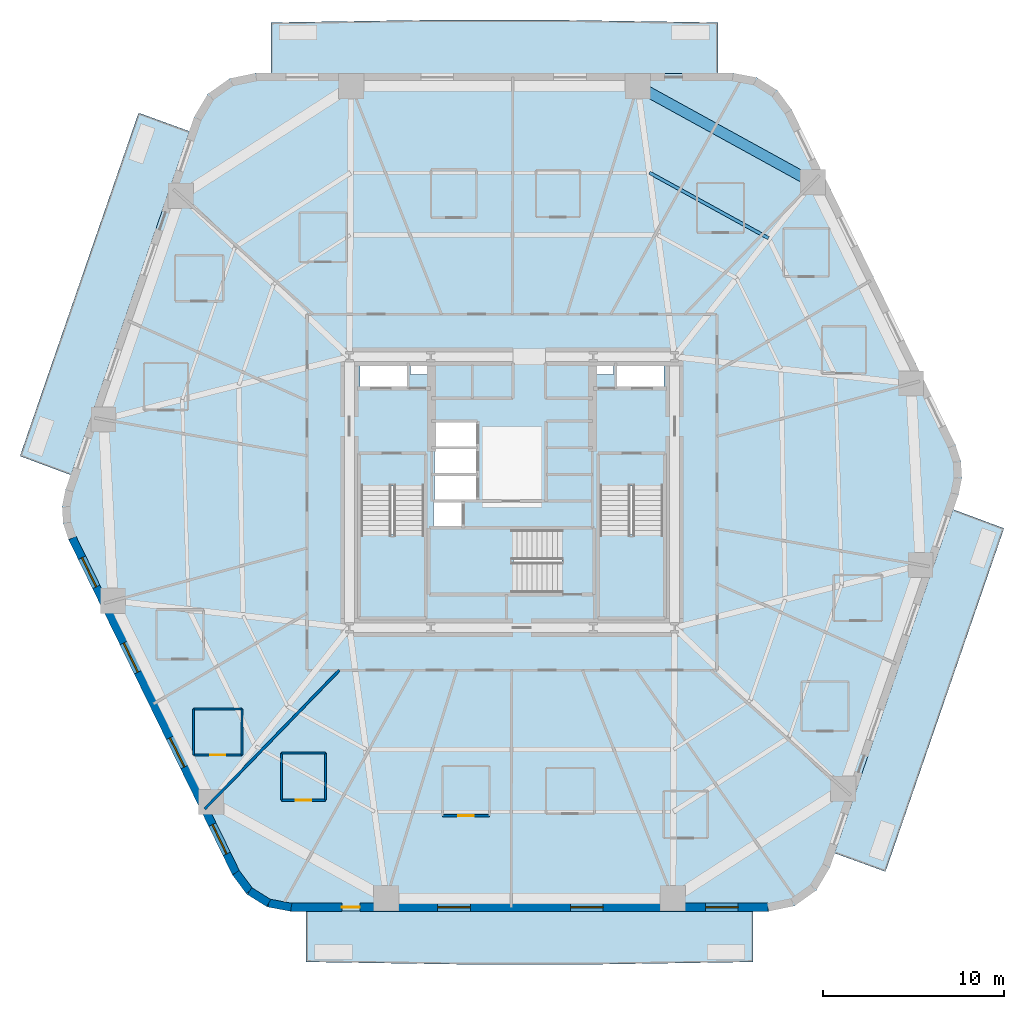
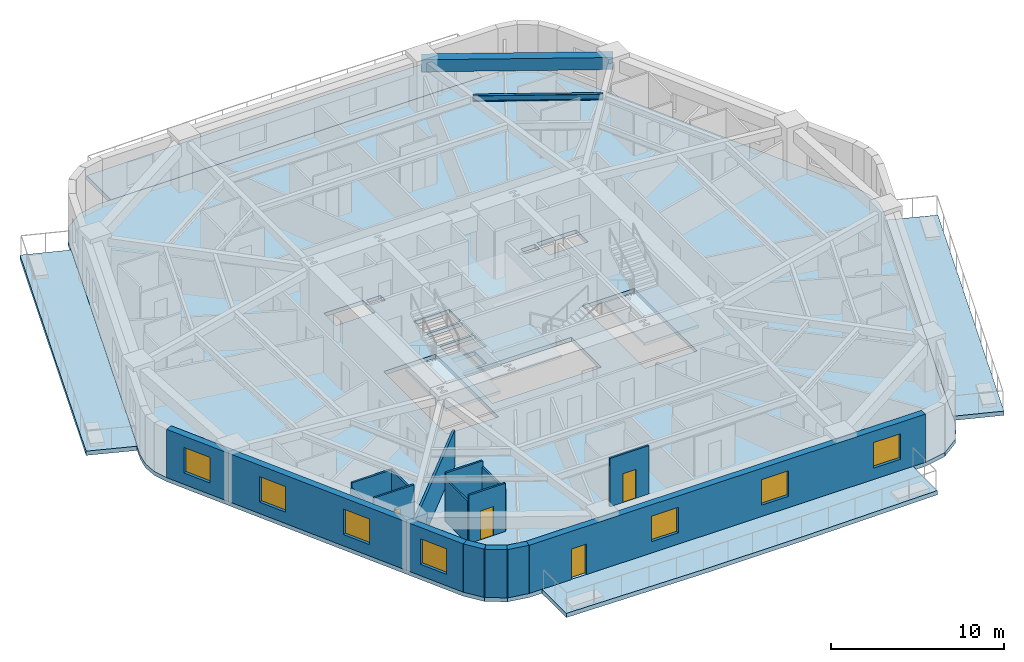
# One storey, part 2 of 11: 15 walls, 8 slabs, 7 windows, 4 doors, 2 beams, 11 openings, 3 elements without a shape of their own.
"""IFC4 building model written with IfcOpenShell, lengths in metres."""

from ifc_helpers import new_model, si_unit, direction, frame, frame_2d, origin, origin_2d, place, context, subcontext, project, spatial, polyline, rectangle, i_section, outline, extrude, material, layer, layer_set, material_profile, profile_set, type_object, element, fill, aggregate, save


model = new_model("IFC4")

# Units and contexts
model_context = context("Model", 3, precision=1e-05, world=origin(), true_north=direction((0.0, 1.0)))
body_context = subcontext(model_context, "Body", "Model", "MODEL_VIEW")
ifc_project = project(units=[si_unit("LENGTHUNIT", "METRE"), si_unit("AREAUNIT", "SQUARE_METRE"), si_unit("VOLUMEUNIT", "CUBIC_METRE"), si_unit("PLANEANGLEUNIT", "RADIAN"), si_unit("MASSUNIT", "GRAM", prefix="KILO")], contexts=[model_context])

# Site, building, storey
site_placement = place(None, origin())
site = spatial("IfcSite", under=ifc_project, at=site_placement, CompositionType="ELEMENT")
building_placement = place(site_placement, origin())
building = spatial("IfcBuilding", under=site, at=building_placement, Name="Kilnhurst Terrace Hotel", CompositionType="ELEMENT")
storey_placement = place(building_placement, frame((0.0, 0.0, 41.60009765625)))
storey = spatial("IfcBuildingStorey", under=building, at=storey_placement, Name="L08", CompositionType="ELEMENT", Elevation=41.60009765625)

# Beams
ifc_material_1 = material(Name="Concrete C50/60", Category="concrete")
ifc_material_profile_1 = material_profile(ifc_material_1, rectangle(XDim=0.60009765625, YDim=0.85009765625, at=origin_2d()), Name="RC600X850")
ifc_profile_set_1 = profile_set([ifc_material_profile_1], Name="Concrete C50/60")
beam_type_1 = type_object("IfcBeamType", Name="BM-SPN-600X850", PredefinedType="SPANDREL", material=ifc_profile_set_1)
beam_1_placement = place(storey_placement, frame((16.64306640625, 17.152099609375, 2.974853515625), z_axis=(-0.876235488803, 0.481883147829, 0.0), x_axis=(-0.481883147829, -0.876235488803, 0.0)))
element("IfcBeam", 1, at=beam_1_placement, inside=storey, type_object=beam_type_1, Name="L08 Perimeter Spandrel Beam 6", PredefinedType="SPANDREL", context=body_context, shape_type="SweptSolid", body=[
    extrude(rectangle(XDim=0.60009765625, YDim=0.85009765625, at=origin_2d()), origin(), (0.0, 0.0, 1.0), 11.056396484375),
])
ifc_material_2 = material(Name="Steel ASTM A992 Grade 50", Category="steel")
ifc_material_profile_2 = material_profile(ifc_material_2, i_section(OverallWidth=0.180908203125, OverallDepth=0.417236328125, WebThickness=0.010986328125, FlangeThickness=0.018310546875, at=origin_2d()), Name="W16X57")
ifc_profile_set_2 = profile_set([ifc_material_profile_2], Name="Steel ASTM A992 Grade 50")
beam_type_2 = type_object("IfcBeamType", Name="JST-STL-W16X57", PredefinedType="JOIST", material=ifc_profile_set_2)
beam_2_placement = place(storey_placement, frame((14.197265625, 14.0634765625, 3.19091796875), z_axis=(-0.876246073632, 0.481863900334, 0.0), x_axis=(-0.481863900334, -0.876246073632, 0.0)))
element("IfcBeam", 2, at=beam_2_placement, inside=storey, type_object=beam_type_2, Name="L08 Secondary Floor Steel Joist OUT.6", PredefinedType="JOIST", context=body_context, shape_type="SweptSolid", body=[
    extrude(i_section(OverallWidth=0.180908203125, OverallDepth=0.417236328125, WebThickness=0.010986328125, FlangeThickness=0.018310546875, at=origin_2d()), origin(), (0.0, 0.0, 1.0), 7.518310546875),
])

# Slabs
ifc_layer_1 = layer(ifc_material_1, 0.300048828125, Name="Concrete C50/60")
ifc_layer_set_1 = layer_set([ifc_layer_1], Name="Concrete C50/60")
slab_type_1 = type_object("IfcSlabType", Name="SLB-BAL-300", PredefinedType="FLOOR", material=ifc_layer_set_1)
slab_1_placement = place(storey_placement, frame((0.0, 0.0, -0.300048828125)))
element("IfcSlab", 3, at=slab_1_placement, inside=storey, type_object=slab_type_1, Name="L08 Cantilevered Planted Terrace Slab BAL-L1A", PredefinedType="FLOOR", context=body_context, shape_type="SweptSolid", body=[
    extrude(outline(polyline([(4.229248046875, -26.139892578125), (-2.279541015625, -26.139892578125), (-11.39208984375, -26.0), (-11.39208984375, -23.179931640625), (13.341552734375, -23.179931640625), (13.341552734375, -26.0), (4.229248046875, -26.139892578125)])), origin(), (0.0, 0.0, 1.0), 0.300048828125),
])
slab_2_placement = place(storey_placement, frame((0.0, 0.0, -0.300048828125)))
element("IfcSlab", 4, at=slab_2_placement, inside=storey, type_object=slab_type_1, Name="L08 Cantilevered Planted Terrace Slab BAL-L1B", PredefinedType="FLOOR", context=body_context, shape_type="SweptSolid", body=[
    extrude(outline(polyline([(20.670166015625, -21.0), (17.84912109375, -19.975341796875), (24.410888671875, -0.9501953125), (27.23388671875, -2.0), (23.98046875, -11.4296875), (20.670166015625, -21.0)])), origin(), (0.0, 0.0, 1.0), 0.300048828125),
])
slab_3_placement = place(storey_placement, frame((0.0, 0.0, -0.300048828125)))
element("IfcSlab", 5, at=slab_3_placement, inside=storey, type_object=slab_type_1, Name="L08 Cantilevered Planted Terrace Slab BAL-L2A", PredefinedType="FLOOR", context=body_context, shape_type="SweptSolid", body=[
    extrude(outline(polyline([(2.279541015625, 26.139892578125), (11.39208984375, 26.0), (11.39208984375, 23.179931640625), (-13.341552734375, 23.179931640625), (-13.341552734375, 26.0), (-4.229248046875, 26.139892578125), (2.279541015625, 26.139892578125)])), origin(), (0.0, 0.0, 1.0), 0.300048828125),
])
slab_4_placement = place(storey_placement, frame((0.0, 0.0, -0.300048828125)))
element("IfcSlab", 6, at=slab_4_placement, inside=storey, type_object=slab_type_1, Name="L08 Cantilevered Planted Terrace Slab BAL-L2B", PredefinedType="FLOOR", context=body_context, shape_type="SweptSolid", body=[
    extrude(outline(polyline([(-20.670166015625, 21.0), (-17.84912109375, 19.975341796875), (-24.410888671875, 0.9501953125), (-27.23388671875, 2.0), (-23.98046875, 11.4296875), (-20.670166015625, 21.0)])), origin(), (0.0, 0.0, 1.0), 0.300048828125),
])
ifc_layer_2 = layer(ifc_material_1, 0.280029296875, Name="Concrete C50/60")
ifc_layer_set_2 = layer_set([ifc_layer_2], Name="Concrete C50/60")
slab_type_2 = type_object("IfcSlabType", Name="SLB-FLR-280", PredefinedType="FLOOR", material=ifc_layer_set_2)
slab_5_placement = place(storey_placement, frame((0.0, 0.0, -0.280029296875)))
element("IfcSlab", 7, at=slab_5_placement, inside=storey, type_object=slab_type_2, Name="L08 Structural Floor Slab", PredefinedType="FLOOR", context=body_context, shape_type="SweptSolid", body=[
    extrude(outline(polyline([(-15.476806640625, -21.18017578125), (-14.680908203125, -22.248046875), (-13.551025390625, -22.95361328125), (-12.241943359375, -23.199951171875), (14.191650390625, -23.199951171875), (15.635986328125, -22.8974609375), (16.837890625, -22.040771484375), (17.5947265625, -20.773681640625), (24.712890625, -0.135986328125), (24.90087890625, 0.7861328125), (24.843505859375, 1.7255859375), (24.54443359375, 2.617919921875), (15.476806640625, 21.18017578125), (14.680908203125, 22.248046875), (13.551025390625, 22.95361328125), (12.241943359375, 23.199951171875), (-14.191650390625, 23.199951171875), (-15.635986328125, 22.8974609375), (-16.837890625, 22.040771484375), (-17.5947265625, 20.773681640625), (-24.712890625, 0.135986328125), (-24.90087890625, -0.7861328125), (-24.843505859375, -1.7255859375), (-24.54443359375, -2.617919921875), (-15.476806640625, -21.18017578125)]), holes=[polyline([(-8.35009765625, 0.35498046875), (-4.8798828125, 0.35498046875), (-4.8798828125, -6.89990234375), (-8.35009765625, -6.89990234375), (-8.35009765625, 0.35498046875)]), polyline([(-2.800048828125, -1.89990234375), (-4.35009765625, -1.89990234375), (-4.35009765625, -0.550048828125), (-2.800048828125, -0.550048828125), (-2.800048828125, -1.89990234375)]), polyline([(-1.949951171875, -0.429931640625), (-4.300048828125, -0.429931640625), (-4.300048828125, 0.89990234375), (-1.949951171875, 0.89990234375), (-1.949951171875, -0.429931640625)]), polyline([(-4.300048828125, 1.050048828125), (-4.300048828125, 2.3798828125), (-1.949951171875, 2.3798828125), (-1.949951171875, 1.050048828125), (-4.300048828125, 1.050048828125)]), polyline([(-8.39990234375, 5.75), (-8.39990234375, 7.14990234375), (-5.800048828125, 7.14990234375), (-5.800048828125, 5.75), (-8.39990234375, 5.75)]), polyline([(-4.659912109375, 6.52001953125), (-5.6201171875, 6.52001953125), (-5.6201171875, 7.080078125), (-4.659912109375, 7.080078125), (-4.659912109375, 6.52001953125)]), polyline([(2.7548828125, -5.550048828125), (-4.5, -5.550048828125), (-4.5, -2.080078125), (2.7548828125, -2.080078125), (2.7548828125, -5.550048828125)]), polyline([(8.35009765625, 0.35498046875), (8.35009765625, -6.89990234375), (4.8798828125, -6.89990234375), (4.8798828125, 0.35498046875), (8.35009765625, 0.35498046875)]), polyline([(-1.949951171875, 2.530029296875), (-4.300048828125, 2.530029296875), (-4.300048828125, 3.860107421875), (-1.949951171875, 3.860107421875), (-1.949951171875, 2.530029296875)]), polyline([(5.800048828125, 5.75), (5.800048828125, 7.14990234375), (8.39990234375, 7.14990234375), (8.39990234375, 5.75), (5.800048828125, 5.75)]), polyline([(4.659912109375, 6.52001953125), (4.659912109375, 7.080078125), (5.6201171875, 7.080078125), (5.6201171875, 6.52001953125), (4.659912109375, 6.52001953125)])]), origin(), (0.0, 0.0, 1.0), 0.280029296875),
])

# Stair, slab
stair_type = type_object("IfcStairType", Name="STR-CORE-1660", PredefinedType="HALF_TURN_STAIR", material=ifc_material_1)
stair_1_placement = place(storey_placement, origin())
stair_1 = element("IfcStair", 8, at=stair_1_placement, inside=storey, type_object=stair_type, Name="L08 ST-1", PredefinedType="HALF_TURN_STAIR")
ifc_layer_3 = layer(ifc_material_1, 0.199951171875, Name="Concrete C50/60")
ifc_layer_set_3 = layer_set([ifc_layer_3], Name="Concrete C50/60")
slab_type_3 = type_object("IfcSlabType", Name="SLB-ST-LND-200", PredefinedType="LANDING", material=ifc_layer_set_3)
slab_6_placement = place(storey_placement, frame((0.0, 0.0, 1.64990234375)))
slab_6 = element("IfcSlab", 9, at=slab_6_placement, type_object=slab_type_3, Name="ST-1 landing 1", PredefinedType="LANDING", context=body_context, shape_type="SweptSolid", body=[
    extrude(outline(polyline([(-8.429931640625, -2.330078125), (-4.800048828125, -2.330078125), (-4.800048828125, -6.97998046875), (-8.429931640625, -6.97998046875), (-8.429931640625, -2.330078125)])), origin(), (0.0, 0.0, 1.0), 0.199951171875),
])
aggregate(stair_1, [slab_6])

stair_2_placement = place(storey_placement, origin())
stair_2 = element("IfcStair", 10, at=stair_2_placement, inside=storey, type_object=stair_type, Name="L08 ST-2", PredefinedType="HALF_TURN_STAIR")
slab_7_placement = place(storey_placement, frame((0.0, 0.0, 1.64990234375)))
slab_7 = element("IfcSlab", 11, at=slab_7_placement, type_object=slab_type_3, Name="ST-2 landing 1", PredefinedType="LANDING", context=body_context, shape_type="SweptSolid", body=[
    extrude(outline(polyline([(4.800048828125, -2.330078125), (8.429931640625, -2.330078125), (8.429931640625, -6.97998046875), (4.800048828125, -6.97998046875), (4.800048828125, -2.330078125)])), origin(), (0.0, 0.0, 1.0), 0.199951171875),
])
aggregate(stair_2, [slab_7])

stair_3_placement = place(storey_placement, origin())
stair_3 = element("IfcStair", 12, at=stair_3_placement, inside=storey, type_object=stair_type, Name="L08 ST-3", PredefinedType="HALF_TURN_STAIR")
slab_8_placement = place(storey_placement, frame((0.0, 0.0, 1.64990234375)))
slab_8 = element("IfcSlab", 13, at=slab_8_placement, type_object=slab_type_3, Name="ST-3 landing 1", PredefinedType="LANDING", context=body_context, shape_type="SweptSolid", body=[
    extrude(outline(polyline([(0.070068359375, -2.0), (0.070068359375, -5.6298828125), (-4.580078125, -5.6298828125), (-4.580078125, -2.0), (0.070068359375, -2.0)])), origin(), (0.0, 0.0, 1.0), 0.199951171875),
])
aggregate(stair_3, [slab_8])

# Walls
ifc_material_3 = material(Name="Precast concrete C40/50", Category="concrete")
ifc_layer_4 = layer(ifc_material_3, 0.449951171875, Name="Precast concrete C40/50")
ifc_layer_set_4 = layer_set([ifc_layer_4], Name="Precast concrete C40/50")
wall_type_1 = type_object("IfcWallType", Name="WL-BRK-450", PredefinedType="SOLIDWALL", material=ifc_layer_set_4)
wall_1_placement = place(storey_placement, frame((-15.28369140625, -21.0625, 0.0), z_axis=(0.0, 0.0, 1.0), x_axis=(0.597595366449, -0.801797841104, 0.0)))
element("IfcWall", 14, at=wall_1_placement, inside=storey, type_object=wall_type_1, Name="L08 Rounded Corner Brick Wall C1.1", PredefinedType="SOLIDWALL", context=body_context, shape_type="SweptSolid", body=[
    extrude(rectangle(XDim=1.2685546875, YDim=0.449951171875, at=frame_2d((0.63427734375, 0.0))), origin(), (0.0, 0.0, 1.0), 3.39990234375),
])
wall_2_placement = place(storey_placement, frame((-14.525634765625, -22.07958984375, 0.0), z_axis=(0.0, 0.0, 1.0), x_axis=(0.848185203596, -0.529699783275, 0.0)))
element("IfcWall", 15, at=wall_2_placement, inside=storey, type_object=wall_type_1, Name="L08 Rounded Corner Brick Wall C1.2", PredefinedType="SOLIDWALL", context=body_context, shape_type="SweptSolid", body=[
    extrude(rectangle(XDim=1.247314453125, YDim=0.449951171875, at=frame_2d((0.62353515625, 0.0))), origin(), (0.0, 0.0, 1.0), 3.39990234375),
])
wall_3_placement = place(storey_placement, frame((-13.4677734375, -22.740234375, 0.0), z_axis=(0.0, 0.0, 1.0), x_axis=(0.982717174228, -0.185113358451, 0.0)))
element("IfcWall", 16, at=wall_3_placement, inside=storey, type_object=wall_type_1, Name="L08 Rounded Corner Brick Wall C1.3", PredefinedType="SOLIDWALL", context=body_context, shape_type="SweptSolid", body=[
    extrude(rectangle(XDim=1.268798828125, YDim=0.449951171875, at=frame_2d((0.63427734375, 0.0))), origin(), (0.0, 0.0, 1.0), 3.39990234375),
])

# Wall, openings, door, windows
wall_4_placement = place(storey_placement, frame((-12.220947265625, -22.97509765625, 0.0), z_axis=(0.0, 0.0, 1.0), x_axis=(1.0, 0.0, 0.0)))
wall_4 = element("IfcWall", 17, at=wall_4_placement, inside=storey, type_object=wall_type_1, Name="L08 Exterior Brick Facade Wall F1", PredefinedType="SOLIDWALL", context=body_context, shape_type="SweptSolid", body=[
    extrude(rectangle(XDim=26.38916015625, YDim=0.449951171875, at=frame_2d((13.194580078125, 0.0))), origin(), (0.0, 0.0, 1.0), 3.39990234375),
])
opening_1_placement = place(wall_4_placement, frame((2.799072265625, 0.0, 0.0)))
opening_1 = element("IfcOpeningElement", 18, at=opening_1_placement, cuts=wall_4, Name="Opening BD-1000", PredefinedType="OPENING", context=body_context, shape_type="SweptSolid", body=[
    extrude(rectangle(XDim=1.0, YDim=2.14990234375, at=frame_2d((0.5, 1.074951171875))), frame((0.0, 0.23486328125, 0.0), z_axis=(0.0, -1.0, 0.0), x_axis=(1.0, 0.0, 0.0)), (0.0, 0.0, 1.0), 0.469970703125),
])
opening_2_placement = place(wall_4_placement, frame((8.110107421875, 0.0, 0.800048828125)))
opening_2 = element("IfcOpeningElement", 19, at=opening_2_placement, cuts=wall_4, Name="Opening W-01", PredefinedType="OPENING", context=body_context, shape_type="SweptSolid", body=[
    extrude(rectangle(XDim=1.800048828125, YDim=1.800048828125, at=frame_2d((0.89990234375, 0.89990234375))), frame((0.0, 0.23486328125, 0.0), z_axis=(0.0, -1.0, 0.0), x_axis=(1.0, 0.0, 0.0)), (0.0, 0.0, 1.0), 0.469970703125),
])
opening_3_placement = place(wall_4_placement, frame((15.4599609375, 0.0, 0.800048828125)))
opening_3 = element("IfcOpeningElement", 20, at=opening_3_placement, cuts=wall_4, Name="Opening W-01", PredefinedType="OPENING", context=body_context, shape_type="SweptSolid", body=[
    extrude(rectangle(XDim=1.800048828125, YDim=1.800048828125, at=frame_2d((0.89990234375, 0.89990234375))), frame((0.0, 0.23486328125, 0.0), z_axis=(0.0, -1.0, 0.0), x_axis=(1.0, 0.0, 0.0)), (0.0, 0.0, 1.0), 0.469970703125),
])
opening_4_placement = place(wall_4_placement, frame((22.93798828125, 0.0, 0.800048828125)))
opening_4 = element("IfcOpeningElement", 21, at=opening_4_placement, cuts=wall_4, Name="Opening W-01", PredefinedType="OPENING", context=body_context, shape_type="SweptSolid", body=[
    extrude(rectangle(XDim=1.800048828125, YDim=1.800048828125, at=frame_2d((0.89990234375, 0.89990234375))), frame((0.0, 0.23486328125, 0.0), z_axis=(0.0, -1.0, 0.0), x_axis=(1.0, 0.0, 0.0)), (0.0, 0.0, 1.0), 0.469970703125),
])
ifc_material_4 = material(Name="Thermally Broken Bronze Aluminium Alloy 6063-T6 and Laminated Glass", Category="aluminium")
door_type_1 = type_object("IfcDoorType", Name="DR-EXT-BAL-1000", OperationType="NOTDEFINED", PredefinedType="DOOR", material=ifc_material_4)
door_1_placement = place(opening_1_placement, origin())
door_1 = element("IfcDoor", 22, at=door_1_placement, inside=storey, type_object=door_type_1, Name="L08 Planted Balcony Door BAL-L1A", OperationType="SINGLE_SWING_LEFT", OverallHeight=2.14990234375, OverallWidth=1.0, PredefinedType="DOOR", context=body_context, shape_type="SweptSolid", body=[
    extrude(rectangle(XDim=1.0, YDim=2.14990234375, at=frame_2d((0.5, 1.074951171875))), frame((0.0, 0.02490234375, 0.0), z_axis=(0.0, -1.0, 0.0), x_axis=(1.0, 0.0, 0.0)), (0.0, 0.0, 1.0), 0.050048828125),
])
fill(opening_1, door_1)
ifc_material_5 = material(Name="Thermally Broken Bronze Aluminium Alloy 6063-T6 and Low-E Glass", Category="aluminium")
window_type = type_object("IfcWindowType", Name="WIN-1800X1800", PartitioningType="SINGLE_PANEL", PredefinedType="WINDOW", material=ifc_material_5)
window_1_placement = place(opening_2_placement, origin())
window_1 = element("IfcWindow", 23, at=window_1_placement, inside=storey, type_object=window_type, Name="L08 Deep-Set Masonry Window F1.1", OverallHeight=1.800048828125, OverallWidth=1.800048828125, PartitioningType="SINGLE_PANEL", PredefinedType="WINDOW", context=body_context, shape_type="SweptSolid", body=[
    extrude(rectangle(XDim=1.800048828125, YDim=1.800048828125, at=frame_2d((0.89990234375, 0.89990234375))), frame((0.0, 0.030029296875, 0.0), z_axis=(0.0, -1.0, 0.0), x_axis=(1.0, 0.0, 0.0)), (0.0, 0.0, 1.0), 0.06005859375),
])
fill(opening_2, window_1)
window_2_placement = place(opening_3_placement, origin())
window_2 = element("IfcWindow", 24, at=window_2_placement, inside=storey, type_object=window_type, Name="L08 Deep-Set Masonry Window F1.2", OverallHeight=1.800048828125, OverallWidth=1.800048828125, PartitioningType="SINGLE_PANEL", PredefinedType="WINDOW", context=body_context, shape_type="SweptSolid", body=[
    extrude(rectangle(XDim=1.800048828125, YDim=1.800048828125, at=frame_2d((0.89990234375, 0.89990234375))), frame((0.0, 0.030029296875, 0.0), z_axis=(0.0, -1.0, 0.0), x_axis=(1.0, 0.0, 0.0)), (0.0, 0.0, 1.0), 0.06005859375),
])
fill(opening_3, window_2)
window_3_placement = place(opening_4_placement, origin())
window_3 = element("IfcWindow", 25, at=window_3_placement, inside=storey, type_object=window_type, Name="L08 Deep-Set Masonry Window F1.3", OverallHeight=1.800048828125, OverallWidth=1.800048828125, PartitioningType="SINGLE_PANEL", PredefinedType="WINDOW", context=body_context, shape_type="SweptSolid", body=[
    extrude(rectangle(XDim=1.800048828125, YDim=1.800048828125, at=frame_2d((0.89990234375, 0.89990234375))), frame((0.0, 0.030029296875, 0.0), z_axis=(0.0, -1.0, 0.0), x_axis=(1.0, 0.0, 0.0)), (0.0, 0.0, 1.0), 0.06005859375),
])
fill(opening_4, window_3)

# Wall, openings, windows
wall_5_placement = place(storey_placement, frame((-24.335693359375, -2.532470703125, 0.0), z_axis=(0.0, 0.0, 1.0), x_axis=(0.438931326393, -0.898520612291, 0.0)))
wall_5 = element("IfcWall", 26, at=wall_5_placement, inside=storey, type_object=wall_type_1, Name="L08 Exterior Brick Facade Wall F6", PredefinedType="SOLIDWALL", context=body_context, shape_type="SweptSolid", body=[
    extrude(rectangle(XDim=20.622802734375, YDim=0.449951171875, at=frame_2d((10.3115234375, 0.0))), origin(), (0.0, 0.0, 1.0), 3.39990234375),
])
opening_5_placement = place(wall_5_placement, frame((1.214111328125, 0.0, 0.800048828125)))
opening_5 = element("IfcOpeningElement", 27, at=opening_5_placement, cuts=wall_5, Name="Opening W-01", PredefinedType="OPENING", context=body_context, shape_type="SweptSolid", body=[
    extrude(rectangle(XDim=1.800048828125, YDim=1.800048828125, at=frame_2d((0.89990234375, 0.89990234375))), frame((0.0, 0.23486328125, 0.0), z_axis=(0.0, -1.0, 0.0), x_axis=(1.0, 0.0, 0.0)), (0.0, 0.0, 1.0), 0.469970703125),
])
opening_6_placement = place(wall_5_placement, frame((6.469970703125, 0.0, 0.800048828125)))
opening_6 = element("IfcOpeningElement", 28, at=opening_6_placement, cuts=wall_5, Name="Opening W-01", PredefinedType="OPENING", context=body_context, shape_type="SweptSolid", body=[
    extrude(rectangle(XDim=1.800048828125, YDim=1.800048828125, at=frame_2d((0.89990234375, 0.89990234375))), frame((0.0, 0.23486328125, 0.0), z_axis=(0.0, -1.0, 0.0), x_axis=(1.0, 0.0, 0.0)), (0.0, 0.0, 1.0), 0.469970703125),
])
opening_7_placement = place(wall_5_placement, frame((12.31103515625, 0.0, 0.800048828125)))
opening_7 = element("IfcOpeningElement", 29, at=opening_7_placement, cuts=wall_5, Name="Opening W-01", PredefinedType="OPENING", context=body_context, shape_type="SweptSolid", body=[
    extrude(rectangle(XDim=1.800048828125, YDim=1.800048828125, at=frame_2d((0.89990234375, 0.89990234375))), frame((0.0, 0.23486328125, 0.0), z_axis=(0.0, -1.0, 0.0), x_axis=(1.0, 0.0, 0.0)), (0.0, 0.0, 1.0), 0.469970703125),
])
opening_8_placement = place(wall_5_placement, frame((17.659912109375, 0.0, 0.800048828125)))
opening_8 = element("IfcOpeningElement", 30, at=opening_8_placement, cuts=wall_5, Name="Opening W-01", PredefinedType="OPENING", context=body_context, shape_type="SweptSolid", body=[
    extrude(rectangle(XDim=1.800048828125, YDim=1.800048828125, at=frame_2d((0.89990234375, 0.89990234375))), frame((0.0, 0.23486328125, 0.0), z_axis=(0.0, -1.0, 0.0), x_axis=(1.0, 0.0, 0.0)), (0.0, 0.0, 1.0), 0.469970703125),
])
window_4_placement = place(opening_5_placement, origin())
window_4 = element("IfcWindow", 31, at=window_4_placement, inside=storey, type_object=window_type, Name="L08 Deep-Set Masonry Window F6.1", OverallHeight=1.800048828125, OverallWidth=1.800048828125, PartitioningType="SINGLE_PANEL", PredefinedType="WINDOW", context=body_context, shape_type="SweptSolid", body=[
    extrude(rectangle(XDim=1.800048828125, YDim=1.800048828125, at=frame_2d((0.89990234375, 0.89990234375))), frame((0.0, 0.030029296875, 0.0), z_axis=(0.0, -1.0, 0.0), x_axis=(1.0, 0.0, 0.0)), (0.0, 0.0, 1.0), 0.06005859375),
])
fill(opening_5, window_4)
window_5_placement = place(opening_6_placement, origin())
window_5 = element("IfcWindow", 32, at=window_5_placement, inside=storey, type_object=window_type, Name="L08 Deep-Set Masonry Window F6.2", OverallHeight=1.800048828125, OverallWidth=1.800048828125, PartitioningType="SINGLE_PANEL", PredefinedType="WINDOW", context=body_context, shape_type="SweptSolid", body=[
    extrude(rectangle(XDim=1.800048828125, YDim=1.800048828125, at=frame_2d((0.89990234375, 0.89990234375))), frame((0.0, 0.030029296875, 0.0), z_axis=(0.0, -1.0, 0.0), x_axis=(1.0, 0.0, 0.0)), (0.0, 0.0, 1.0), 0.06005859375),
])
fill(opening_6, window_5)
window_6_placement = place(opening_7_placement, origin())
window_6 = element("IfcWindow", 33, at=window_6_placement, inside=storey, type_object=window_type, Name="L08 Deep-Set Masonry Window F6.3", OverallHeight=1.800048828125, OverallWidth=1.800048828125, PartitioningType="SINGLE_PANEL", PredefinedType="WINDOW", context=body_context, shape_type="SweptSolid", body=[
    extrude(rectangle(XDim=1.800048828125, YDim=1.800048828125, at=frame_2d((0.89990234375, 0.89990234375))), frame((0.0, 0.030029296875, 0.0), z_axis=(0.0, -1.0, 0.0), x_axis=(1.0, 0.0, 0.0)), (0.0, 0.0, 1.0), 0.06005859375),
])
fill(opening_7, window_6)
window_7_placement = place(opening_8_placement, origin())
window_7 = element("IfcWindow", 34, at=window_7_placement, inside=storey, type_object=window_type, Name="L08 Deep-Set Masonry Window F6.4", OverallHeight=1.800048828125, OverallWidth=1.800048828125, PartitioningType="SINGLE_PANEL", PredefinedType="WINDOW", context=body_context, shape_type="SweptSolid", body=[
    extrude(rectangle(XDim=1.800048828125, YDim=1.800048828125, at=frame_2d((0.89990234375, 0.89990234375))), frame((0.0, 0.030029296875, 0.0), z_axis=(0.0, -1.0, 0.0), x_axis=(1.0, 0.0, 0.0)), (0.0, 0.0, 1.0), 0.06005859375),
])
fill(opening_8, window_7)

# Wall
ifc_material_6 = material(Name="STC-58 Acoustic Twin-Frame Guestroom Demising Partition")
ifc_layer_5 = layer(ifc_material_6, 0.14990234375, Name="STC-58 Acoustic Twin-Frame Guestroom Demising Partition")
ifc_layer_set_5 = layer_set([ifc_layer_5], Name="STC-58 Acoustic Twin-Frame Guestroom Demising Partition")
wall_type_2 = type_object("IfcWallType", Name="WL-DEM-150", PredefinedType="PARTITIONING", material=ifc_layer_set_5)
wall_6_placement = place(storey_placement, frame((-9.5576171875, -9.85009765625, 0.0), z_axis=(0.0, 0.0, 1.0), x_axis=(-0.69638346089, -0.717669893056, 0.0)))
element("IfcWall", 35, at=wall_6_placement, inside=storey, type_object=wall_type_2, Name="L08 Interior Wall WL-L08-DEM-COL08-13-1", PredefinedType="PARTITIONING", context=body_context, shape_type="SweptSolid", body=[
    extrude(rectangle(XDim=10.700927734375, YDim=0.14990234375, at=frame_2d((5.3505859375, 0.0))), origin(), (0.0, 0.0, 1.0), 2.539794921875),
])

# Wall, opening, door
ifc_material_7 = material(Name="120 mm Moisture-Resistant Tile-Backed Bathroom Partition")
ifc_layer_6 = layer(ifc_material_7, 0.1201171875, Name="120 mm Moisture-Resistant Tile-Backed Bathroom Partition")
ifc_layer_set_6 = layer_set([ifc_layer_6], Name="120 mm Moisture-Resistant Tile-Backed Bathroom Partition")
wall_type_3 = type_object("IfcWallType", Name="WL-PART-120", PredefinedType="PARTITIONING", material=ifc_layer_set_6)
wall_7_placement = place(storey_placement, frame((-17.62890625, -14.5458984375, 0.0), z_axis=(0.0, 0.0, 1.0), x_axis=(1.0, 0.0, 0.0)))
wall_7 = element("IfcWall", 36, at=wall_7_placement, inside=storey, type_object=wall_type_3, Name="L08 Interior Wall WL-L08-BTH-12-1", PredefinedType="PARTITIONING", context=body_context, shape_type="SweptSolid", body=[
    extrude(rectangle(XDim=2.679931640625, YDim=0.1201171875, at=frame_2d((1.33984375, 0.0))), origin(), (0.0, 0.0, 1.0), 3.39990234375),
])
opening_9_placement = place(wall_7_placement, frame((0.9150390625, 0.0, 0.0)))
opening_9 = element("IfcOpeningElement", 37, at=opening_9_placement, cuts=wall_7, Name="Opening D-08A", PredefinedType="OPENING", context=body_context, shape_type="SweptSolid", body=[
    extrude(rectangle(XDim=0.85009765625, YDim=2.030029296875, at=frame_2d((0.425048828125, 1.01513671875))), frame((0.0, 0.070068359375, 0.0), z_axis=(0.0, -1.0, 0.0), x_axis=(1.0, 0.0, 0.0)), (0.0, 0.0, 1.0), 0.14013671875),
])
ifc_material_8 = material(Name="Moisture-Resistant Lacquered En-suite Bathroom Door")
door_type_2 = type_object("IfcDoorType", Name="DR-INT-850", OperationType="NOTDEFINED", PredefinedType="DOOR", material=ifc_material_8)
door_2_placement = place(opening_9_placement, origin())
door_2 = element("IfcDoor", 38, at=door_2_placement, inside=storey, type_object=door_type_2, Name="L08 En-suite Bathroom Door 12", OperationType="SINGLE_SWING_LEFT", OverallHeight=2.030029296875, OverallWidth=0.85009765625, PredefinedType="DOOR", context=body_context, shape_type="SweptSolid", body=[
    extrude(rectangle(XDim=0.85009765625, YDim=2.030029296875, at=frame_2d((0.425048828125, 1.01513671875))), frame((0.0, 0.02490234375, 0.0), z_axis=(0.0, -1.0, 0.0), x_axis=(1.0, 0.0, 0.0)), (0.0, 0.0, 1.0), 0.050048828125),
])
fill(opening_9, door_2)

# Walls
wall_8_placement = place(storey_placement, frame((-14.948974609375, -14.5458984375, 0.0), z_axis=(0.0, 0.0, 1.0), x_axis=(0.0, 1.0, 0.0)))
element("IfcWall", 39, at=wall_8_placement, inside=storey, type_object=wall_type_3, Name="L08 Interior Wall WL-L08-BTH-12-2", PredefinedType="PARTITIONING", context=body_context, shape_type="SweptSolid", body=[
    extrude(rectangle(XDim=2.539794921875, YDim=0.1201171875, at=frame_2d((1.27001953125, 0.0))), origin(), (0.0, 0.0, 1.0), 2.926513671875),
])
wall_9_placement = place(storey_placement, frame((-14.948974609375, -12.006103515625, 0.0), z_axis=(0.0, 0.0, 1.0), x_axis=(-1.0, 0.0, 0.0)))
element("IfcWall", 40, at=wall_9_placement, inside=storey, type_object=wall_type_3, Name="L08 Interior Wall WL-L08-BTH-12-3", PredefinedType="PARTITIONING", context=body_context, shape_type="SweptSolid", body=[
    extrude(rectangle(XDim=2.679931640625, YDim=0.1201171875, at=frame_2d((1.33984375, 0.0))), origin(), (0.0, 0.0, 1.0), 2.926513671875),
])
wall_10_placement = place(storey_placement, frame((-17.62890625, -12.006103515625, 0.0), z_axis=(0.0, 0.0, 1.0), x_axis=(0.0, -1.0, 0.0)))
element("IfcWall", 41, at=wall_10_placement, inside=storey, type_object=wall_type_3, Name="L08 Interior Wall WL-L08-BTH-12-4", PredefinedType="PARTITIONING", context=body_context, shape_type="SweptSolid", body=[
    extrude(rectangle(XDim=2.539794921875, YDim=0.1201171875, at=frame_2d((1.27001953125, 0.0))), origin(), (0.0, 0.0, 1.0), 2.539794921875),
])

# Wall, opening, door
wall_11_placement = place(storey_placement, frame((-12.7548828125, -17.0458984375, 0.0), z_axis=(0.0, 0.0, 1.0), x_axis=(1.0, 0.0, 0.0)))
wall_11 = element("IfcWall", 42, at=wall_11_placement, inside=storey, type_object=wall_type_3, Name="L08 Interior Wall WL-L08-BTH-13-1", PredefinedType="PARTITIONING", context=body_context, shape_type="SweptSolid", body=[
    extrude(rectangle(XDim=2.43994140625, YDim=0.1201171875, at=frame_2d((1.219970703125, 0.0))), origin(), (0.0, 0.0, 1.0), 3.39990234375),
])
opening_10_placement = place(wall_11_placement, frame((0.794921875, 0.0, 0.0)))
opening_10 = element("IfcOpeningElement", 43, at=opening_10_placement, cuts=wall_11, Name="Opening D-08A", PredefinedType="OPENING", context=body_context, shape_type="SweptSolid", body=[
    extrude(rectangle(XDim=0.85009765625, YDim=2.030029296875, at=frame_2d((0.425048828125, 1.01513671875))), frame((0.0, 0.070068359375, 0.0), z_axis=(0.0, -1.0, 0.0), x_axis=(1.0, 0.0, 0.0)), (0.0, 0.0, 1.0), 0.14013671875),
])
door_3_placement = place(opening_10_placement, origin())
door_3 = element("IfcDoor", 44, at=door_3_placement, inside=storey, type_object=door_type_2, Name="L08 En-suite Bathroom Door 13", OperationType="SINGLE_SWING_RIGHT", OverallHeight=2.030029296875, OverallWidth=0.85009765625, PredefinedType="DOOR", context=body_context, shape_type="SweptSolid", body=[
    extrude(rectangle(XDim=0.85009765625, YDim=2.030029296875, at=frame_2d((0.425048828125, 1.01513671875))), frame((0.0, 0.02490234375, 0.0), z_axis=(0.0, -1.0, 0.0), x_axis=(1.0, 0.0, 0.0)), (0.0, 0.0, 1.0), 0.050048828125),
])
fill(opening_10, door_3)

# Walls
wall_12_placement = place(storey_placement, frame((-10.31494140625, -17.0458984375, 0.0), z_axis=(0.0, 0.0, 1.0), x_axis=(0.0, 1.0, 0.0)))
element("IfcWall", 45, at=wall_12_placement, inside=storey, type_object=wall_type_3, Name="L08 Interior Wall WL-L08-BTH-13-2", PredefinedType="PARTITIONING", context=body_context, shape_type="SweptSolid", body=[
    extrude(rectangle(XDim=2.60986328125, YDim=0.1201171875, at=frame_2d((1.304931640625, 0.0))), origin(), (0.0, 0.0, 1.0), 2.972412109375),
])
wall_13_placement = place(storey_placement, frame((-10.31494140625, -14.43603515625, 0.0), z_axis=(0.0, 0.0, 1.0), x_axis=(-1.0, 0.0, 0.0)))
element("IfcWall", 46, at=wall_13_placement, inside=storey, type_object=wall_type_3, Name="L08 Interior Wall WL-L08-BTH-13-3", PredefinedType="PARTITIONING", context=body_context, shape_type="SweptSolid", body=[
    extrude(rectangle(XDim=2.43994140625, YDim=0.1201171875, at=frame_2d((1.219970703125, 0.0))), origin(), (0.0, 0.0, 1.0), 3.39990234375),
])
wall_14_placement = place(storey_placement, frame((-12.7548828125, -14.43603515625, 0.0), z_axis=(0.0, 0.0, 1.0), x_axis=(0.0, -1.0, 0.0)))
element("IfcWall", 47, at=wall_14_placement, inside=storey, type_object=wall_type_3, Name="L08 Interior Wall WL-L08-BTH-13-4", PredefinedType="PARTITIONING", context=body_context, shape_type="SweptSolid", body=[
    extrude(rectangle(XDim=2.60986328125, YDim=0.1201171875, at=frame_2d((1.304931640625, 0.0))), origin(), (0.0, 0.0, 1.0), 2.972412109375),
])

# Wall, opening, door
wall_15_placement = place(storey_placement, frame((-3.85107421875, -17.912109375, 0.0), z_axis=(0.0, 0.0, 1.0), x_axis=(1.0, 0.0, 0.0)))
wall_15 = element("IfcWall", 48, at=wall_15_placement, inside=storey, type_object=wall_type_3, Name="L08 Interior Wall WL-L08-BTH-15-1", PredefinedType="PARTITIONING", context=body_context, shape_type="SweptSolid", body=[
    extrude(rectangle(XDim=2.60009765625, YDim=0.1201171875, at=frame_2d((1.300048828125, 0.0))), origin(), (0.0, 0.0, 1.0), 3.39990234375),
])
opening_11_placement = place(wall_15_placement, frame((0.875, 0.0, 0.0)))
opening_11 = element("IfcOpeningElement", 49, at=opening_11_placement, cuts=wall_15, Name="Opening D-08A", PredefinedType="OPENING", context=body_context, shape_type="SweptSolid", body=[
    extrude(rectangle(XDim=0.85009765625, YDim=2.030029296875, at=frame_2d((0.425048828125, 1.01513671875))), frame((0.0, 0.070068359375, 0.0), z_axis=(0.0, -1.0, 0.0), x_axis=(1.0, 0.0, 0.0)), (0.0, 0.0, 1.0), 0.14013671875),
])
door_4_placement = place(opening_11_placement, origin())
door_4 = element("IfcDoor", 50, at=door_4_placement, inside=storey, type_object=door_type_2, Name="L08 En-suite Bathroom Door 15", OperationType="SINGLE_SWING_RIGHT", OverallHeight=2.030029296875, OverallWidth=0.85009765625, PredefinedType="DOOR", context=body_context, shape_type="SweptSolid", body=[
    extrude(rectangle(XDim=0.85009765625, YDim=2.030029296875, at=frame_2d((0.425048828125, 1.01513671875))), frame((0.0, 0.02490234375, 0.0), z_axis=(0.0, -1.0, 0.0), x_axis=(1.0, 0.0, 0.0)), (0.0, 0.0, 1.0), 0.050048828125),
])
fill(opening_11, door_4)

save(model, "model.ifc")
